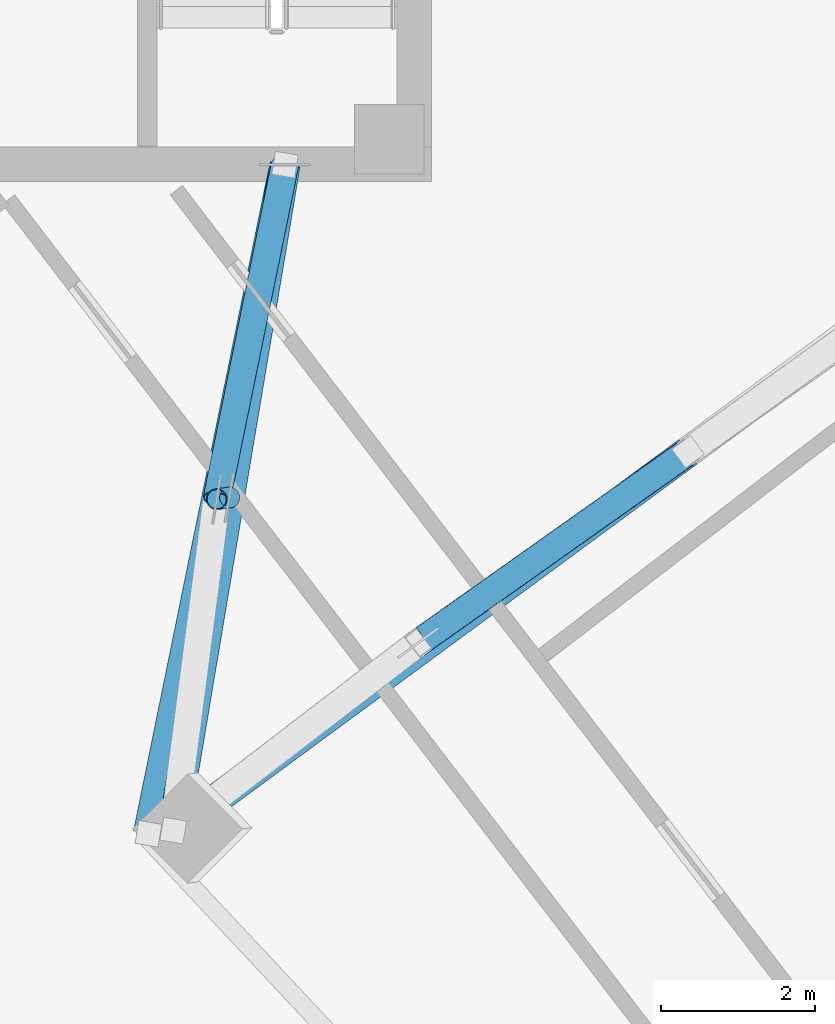
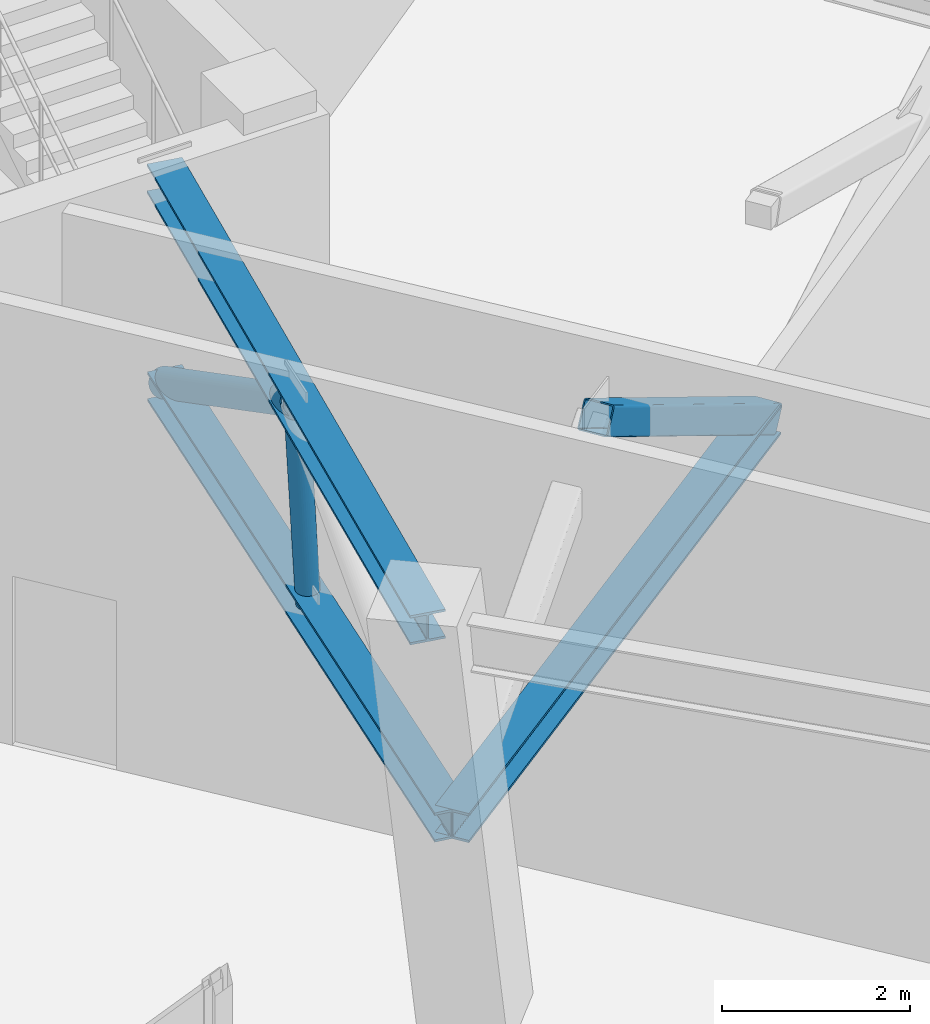
# One storey, part 4 of 19: 6 members.
"""IFC4 building model written with IfcOpenShell, lengths in metres."""

from ifc_helpers import new_model, si_unit, direction, frame, origin, origin_2d, place, context, subcontext, project, spatial, hollow_rectangle, hollow_circle, i_section, extrude, source, transform, mapped, material, material_profile, profile_set, type_object, element, save


model = new_model("IFC4")

# Units and contexts
model_context = context("Model", 3, precision=1e-05, world=origin(), true_north=direction((0.0, 1.0)))
body_context = subcontext(model_context, "Body", "Model", "MODEL_VIEW")
ifc_project = project(units=[si_unit("LENGTHUNIT", "METRE"), si_unit("AREAUNIT", "SQUARE_METRE"), si_unit("VOLUMEUNIT", "CUBIC_METRE"), si_unit("PLANEANGLEUNIT", "RADIAN"), si_unit("MASSUNIT", "GRAM", prefix="KILO")], contexts=[model_context])

# Site, building, storey
site_placement = place(None, origin())
site = spatial("IfcSite", under=ifc_project, at=site_placement, CompositionType="ELEMENT")
building_placement = place(site_placement, origin())
building = spatial("IfcBuilding", under=site, at=building_placement, Name="Torre Montelarca", CompositionType="ELEMENT")
storey_placement = place(building_placement, frame((0.0, 0.0, 287.800048828125)))
storey = spatial("IfcBuildingStorey", under=building, at=storey_placement, Name="L65", CompositionType="ELEMENT", Elevation=287.800048828125)

# Members
ifc_material_1 = material(Name="Steel ASTM A992 Grade 50", Category="steel")
ifc_material_profile_1 = material_profile(ifc_material_1, i_section(OverallWidth=0.39501953125, OverallDepth=0.3798828125, WebThickness=0.018798828125, FlangeThickness=0.0302734375, FilletRadius=0.014892578125, at=origin_2d()), Name="W360X237", Category="steel")
ifc_profile_set_1 = profile_set([ifc_material_profile_1], Name="Steel ASTM A992 Grade 50")
member_type_1 = type_object("IfcMemberType", Name="MB-CH-W360X237", PredefinedType="CHORD", material=ifc_profile_set_1)
shared_shape_1 = source(origin(), body_context, "Body", "SweptSolid", [
    extrude(i_section(OverallWidth=0.39501953125, OverallDepth=0.3798828125, WebThickness=0.018798828125, FlangeThickness=0.0302734375, FilletRadius=0.014892578125, at=origin_2d()), origin(), (0.0, 0.0, 1.0), 8.756591796875),
])
member_1_placement = place(storey_placement, frame((25.10009765625, 24.219970703125, 2.75), z_axis=(-0.165389050514, -0.986228402537, 0.0), x_axis=(0.986228402537, -0.165389050514, 0.0)))
element("IfcMember", 1, at=member_1_placement, inside=storey, type_object=member_type_1, Name="L65 Outrigger Bottom Chord 1", PredefinedType="CHORD", context=body_context, shape_type="MappedRepresentation", body=[
    mapped(shared_shape_1, transform((0.0, 0.0, 0.0), scale=1.0)),
])
shared_shape_2 = source(origin(), body_context, "Body", "SweptSolid", [
    extrude(i_section(OverallWidth=0.39501953125, OverallDepth=0.3798828125, WebThickness=0.018798828125, FlangeThickness=0.0302734375, FilletRadius=0.014892578125, at=origin_2d()), origin(), (0.0, 0.0, 1.0), 8.8564453125),
])
member_2_placement = place(storey_placement, frame((25.10009765625, 24.219970703125, 5.449951171875), z_axis=(-0.199936788536, -0.979808797975, 0.0), x_axis=(0.979808797975, -0.199936788536, 0.0)))
element("IfcMember", 2, at=member_2_placement, inside=storey, type_object=member_type_1, Name="L65 Outrigger Top Chord 1", PredefinedType="CHORD", context=body_context, shape_type="MappedRepresentation", body=[
    mapped(shared_shape_2, transform((0.0, 0.0, 0.0), scale=1.0)),
])
ifc_material_2 = material(Name="Steel ASTM A500 Grade C", Category="steel")
ifc_material_profile_2 = material_profile(ifc_material_2, hollow_circle(Radius=0.177734375, WallThickness=0.015869140625, at=origin_2d()), Name="HSS355.6X15.9", Category="steel")
ifc_profile_set_2 = profile_set([ifc_material_profile_2], Name="Steel ASTM A500 Grade C")
member_type_2 = type_object("IfcMemberType", Name="MB-BR-CHS356", PredefinedType="BRACE", material=ifc_profile_set_2)
shared_shape_3 = source(origin(), body_context, "Body", "SweptSolid", [
    extrude(hollow_circle(Radius=0.177734375, WallThickness=0.015869140625, at=origin_2d()), origin(), (0.0, 0.0, 1.0), 5.1865234375),
])
member_3_placement = place(storey_placement, frame((25.10009765625, 24.219970703125, 2.75), z_axis=(-0.170731872318, -0.836572052616, 0.520574517774), x_axis=(0.979803397457, -0.199963252452, 0.0)))
element("IfcMember", 3, at=member_3_placement, inside=storey, type_object=member_type_2, Name="L65 Outrigger Truss Diagonal 1A", PredefinedType="BRACE", context=body_context, shape_type="MappedRepresentation", body=[
    mapped(shared_shape_3, transform((0.0, 0.0, 0.0), scale=1.0)),
])
ifc_material_profile_3 = material_profile(ifc_material_2, hollow_circle(Radius=0.136474609375, WallThickness=0.0126953125, at=origin_2d()), Name="HSS273.1X12.7", Category="steel")
ifc_profile_set_3 = profile_set([ifc_material_profile_3], Name="Steel ASTM A500 Grade C")
member_type_3 = type_object("IfcMemberType", Name="MB-ST-CHS273", PredefinedType="STRUT", material=ifc_profile_set_3)
shared_shape_4 = source(origin(), body_context, "Body", "SweptSolid", [
    extrude(hollow_circle(Radius=0.136474609375, WallThickness=0.0126953125, at=origin_2d()), origin(), (0.0, 0.0, 1.0), 2.704833984375),
])
member_4_placement = place(storey_placement, frame((24.3759765625, 19.90185546875, 2.75), z_axis=(-0.059662087562, -0.007672129263, 0.998189147276), x_axis=(0.127542829696, -0.991833063874, 0.0)))
element("IfcMember", 4, at=member_4_placement, inside=storey, type_object=member_type_3, Name="L65 Outrigger King Strut 1", PredefinedType="STRUT", context=body_context, shape_type="MappedRepresentation", body=[
    mapped(shared_shape_4, transform((0.0, 0.0, 0.0), scale=1.0)),
])
shared_shape_5 = source(origin(), body_context, "Body", "SweptSolid", [
    extrude(i_section(OverallWidth=0.39501953125, OverallDepth=0.3798828125, WebThickness=0.018798828125, FlangeThickness=0.0302734375, FilletRadius=0.014892578125, at=origin_2d()), origin(), (0.0, 0.0, 1.0), 8.287841796875),
])
member_5_placement = place(storey_placement, frame((23.65185546875, 15.583984375, 2.75), z_axis=(0.805407392054, 0.592721631818, 0.0), x_axis=(-0.592721631818, 0.805407392054, 0.0)))
element("IfcMember", 5, at=member_5_placement, inside=storey, type_object=member_type_1, Name="L65 Perimeter Belt-Truss Bottom Chord 2", PredefinedType="CHORD", context=body_context, shape_type="MappedRepresentation", body=[
    mapped(shared_shape_5, transform((0.0, 0.0, 0.0), scale=1.0)),
])
ifc_material_profile_4 = material_profile(ifc_material_2, hollow_rectangle(XDim=0.355712890625, YDim=0.355712890625, WallThickness=0.015869140625, InnerFilletRadius=0.015869140625, OuterFilletRadius=0.03173828125, at=origin_2d()), Name="HSS356X356X15.9", Category="steel")
ifc_profile_set_4 = profile_set([ifc_material_profile_4], Name="Steel ASTM A500 Grade C")
member_type_4 = type_object("IfcMemberType", Name="MB-BR-HSS356-EXT", PredefinedType="BRACE", material=ifc_profile_set_4)
shared_shape_6 = source(origin(), body_context, "Body", "SweptSolid", [
    extrude(hollow_rectangle(XDim=0.355712890625, YDim=0.355712890625, WallThickness=0.015869140625, InnerFilletRadius=0.015869140625, OuterFilletRadius=0.03173828125, at=origin_2d()), origin(), (0.0, 0.0, 1.0), 5.066162109375),
])
member_6_placement = place(storey_placement, frame((30.326904296875, 20.496337890625, 2.75), z_axis=(-0.690604203065, -0.488931005812, 0.532928049801), x_axis=(0.577822967385, -0.816162127498, 0.0)))
element("IfcMember", 6, at=member_6_placement, inside=storey, type_object=member_type_4, Name="L65 Perimeter Belt-Truss Diagonal 2B", PredefinedType="BRACE", context=body_context, shape_type="MappedRepresentation", body=[
    mapped(shared_shape_6, transform((0.0, 0.0, 0.0), scale=1.0)),
])

save(model, "model.ifc")
